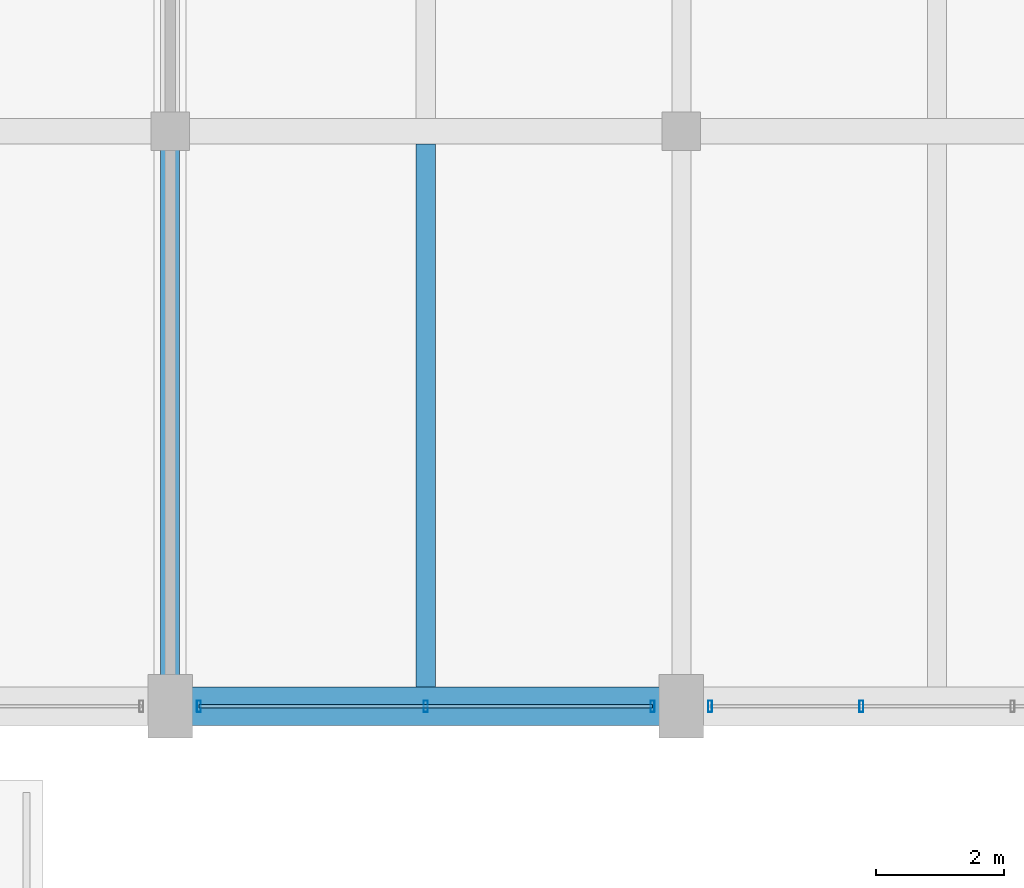
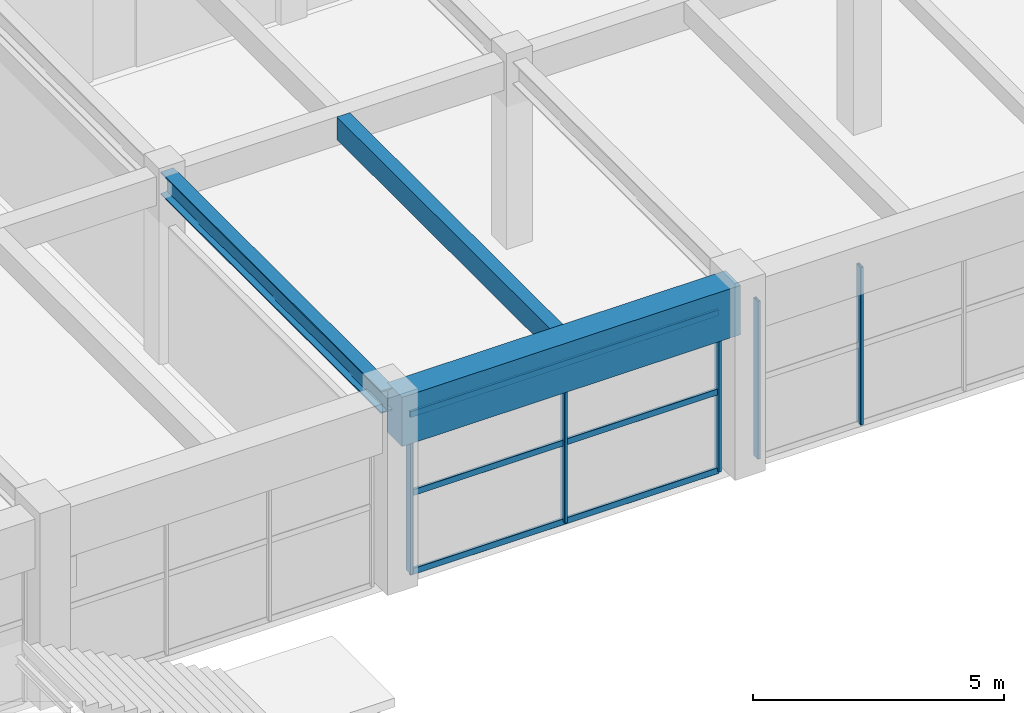
# One storey, part 86 of 144: 8 members, 3 beams, 2 elements without a shape of their own.
"""IFC4 building model written with IfcOpenShell, lengths in metres."""

from ifc_helpers import new_model, si_unit, direction, frame, origin, origin_2d, place, context, subcontext, project, spatial, rectangle, hollow_rectangle, i_section, extrude, material, material_profile, profile_set, type_object, element, aggregate, save


model = new_model("IFC4")

# Units and contexts
model_context = context("Model", 3, precision=1e-05, world=origin(), true_north=direction((0.0, 1.0)))
body_context = subcontext(model_context, "Body", "Model", "MODEL_VIEW")
ifc_project = project(units=[si_unit("LENGTHUNIT", "METRE"), si_unit("AREAUNIT", "SQUARE_METRE"), si_unit("VOLUMEUNIT", "CUBIC_METRE"), si_unit("PLANEANGLEUNIT", "RADIAN"), si_unit("MASSUNIT", "GRAM", prefix="KILO")], contexts=[model_context])

# Site, building, storey
site_placement = place(None, origin())
site = spatial("IfcSite", under=ifc_project, at=site_placement, CompositionType="ELEMENT")
building_placement = place(site_placement, origin())
building = spatial("IfcBuilding", under=site, at=building_placement, Name="Varnabhumi Central Station", CompositionType="ELEMENT")
storey_placement = place(building_placement, frame((0.0, 0.0, 4.800048828125)))
storey = spatial("IfcBuildingStorey", under=building, at=storey_placement, Name="L01", CompositionType="ELEMENT", Elevation=4.800048828125)

# Beams
ifc_material_1 = material(Name="Concrete M50", Category="concrete")
ifc_material_profile_1 = material_profile(ifc_material_1, rectangle(XDim=0.60009765625, YDim=1.199951171875, at=origin_2d()), Name="Concrete M50", Category="concrete")
ifc_profile_set_1 = profile_set([ifc_material_profile_1], Name="Concrete M50")
beam_type_1 = type_object("IfcBeamType", Name="BM-RC-1200x600", PredefinedType="BEAM", material=ifc_profile_set_1)
beam_1_placement = place(storey_placement, frame((128.10009765625, 80.0, 3.949951171875), z_axis=(1.0, 0.0, 0.0), x_axis=(0.0, 1.0, 0.0)))
element("IfcBeam", 1, at=beam_1_placement, inside=storey, type_object=beam_type_1, Name="Beam L01-K:17-18", PredefinedType="BEAM", context=body_context, shape_type="SweptSolid", body=[
    extrude(rectangle(XDim=0.60009765625, YDim=1.199951171875, at=origin_2d()), origin(), (0.0, 0.0, 1.0), 7.7998046875),
])
ifc_material_2 = material(Name="Concrete M40", Category="concrete")
ifc_material_profile_2 = material_profile(ifc_material_2, rectangle(XDim=0.300048828125, YDim=0.550048828125, at=origin_2d()), Name="Concrete M40", Category="concrete")
ifc_profile_set_2 = profile_set([ifc_material_profile_2], Name="Concrete M40")
beam_type_2 = type_object("IfcBeamType", Name="BM-RC-300x550", PredefinedType="JOIST", material=ifc_profile_set_2)
beam_2_placement = place(storey_placement, frame((132.0, 80.300048828125, 4.27490234375), z_axis=(0.0, 1.0, 0.0), x_axis=(-1.0, 0.0, 0.0)))
element("IfcBeam", 2, at=beam_2_placement, inside=storey, type_object=beam_type_2, Name="Secondary Joist L01-17/18:K-L", PredefinedType="JOIST", context=body_context, shape_type="SweptSolid", body=[
    extrude(rectangle(XDim=0.300048828125, YDim=0.550048828125, at=origin_2d()), origin(), (0.0, 0.0, 1.0), 8.5),
])
ifc_material_3 = material(Name="Structural steel E350", Category="steel")
ifc_material_profile_3 = material_profile(ifc_material_3, i_section(OverallWidth=0.300048828125, OverallDepth=0.550048828125, WebThickness=0.014892578125, FlangeThickness=0.029052734375, FilletRadius=0.027099609375, at=origin_2d()), Name="Structural steel E350", Category="steel")
ifc_profile_set_3 = profile_set([ifc_material_profile_3], Name="Structural steel E350")
beam_type_3 = type_object("IfcBeamType", Name="BM-STL-WPB550", PredefinedType="BEAM", material=ifc_profile_set_3)
beam_3_placement = place(storey_placement, frame((128.0, 80.10009765625, 4.27490234375), z_axis=(0.0, 1.0, 0.0), x_axis=(-1.0, 0.0, 0.0)))
element("IfcBeam", 3, at=beam_3_placement, inside=storey, type_object=beam_type_3, Name="Beam L01-17:K-L", PredefinedType="BEAM", context=body_context, shape_type="SweptSolid", body=[
    extrude(i_section(OverallWidth=0.300048828125, OverallDepth=0.550048828125, WebThickness=0.014892578125, FlangeThickness=0.029052734375, FilletRadius=0.027099609375, at=origin_2d()), origin(), (0.0, 0.0, 1.0), 8.7998046875),
])

# Curtain wall, members
ifc_material_4 = material(Name="Anodised aluminium 6063-T6", Category="aluminium")
curtain_wall_type_1 = type_object("IfcCurtainWallType", Name="CW-SPINE-SCREEN-L0", PredefinedType="NOTDEFINED", material=ifc_material_4)
curtain_wall_1_placement = place(storey_placement, origin())
curtain_wall_1 = element("IfcCurtainWall", 4, at=curtain_wall_1_placement, inside=storey, type_object=curtain_wall_type_1, Name="Curtain Wall CW-NS116", PredefinedType="NOTDEFINED")
ifc_material_profile_4 = material_profile(ifc_material_4, hollow_rectangle(XDim=0.06494140625, YDim=0.179931640625, WallThickness=0.00390625, InnerFilletRadius=0.001953125, OuterFilletRadius=0.006103515625, at=origin_2d()), Name="Anodised aluminium 6063-T6", Category="aluminium")
ifc_profile_set_4 = profile_set([ifc_material_profile_4], Name="Anodised aluminium 6063-T6")
member_type_1 = type_object("IfcMemberType", Name="CW-MUL-180", PredefinedType="MULLION", material=ifc_profile_set_4)
member_1_placement = place(storey_placement, frame((128.449951171875, 80.0, 0.0), z_axis=(0.0, 0.0, 1.0), x_axis=(1.0, 0.0, 0.0)))
member_1 = element("IfcMember", 5, at=member_1_placement, type_object=member_type_1, Name="Curtain Wall Mullion CW-NS116-M1", PredefinedType="MULLION", context=body_context, shape_type="SweptSolid", body=[
    extrude(hollow_rectangle(XDim=0.06494140625, YDim=0.179931640625, WallThickness=0.00390625, InnerFilletRadius=0.001953125, OuterFilletRadius=0.006103515625, at=origin_2d()), origin(), (0.0, 0.0, 1.0), 3.83984375),
])
member_2_placement = place(storey_placement, frame((132.0, 80.0, 0.0), z_axis=(0.0, 0.0, 1.0), x_axis=(1.0, 0.0, 0.0)))
member_2 = element("IfcMember", 6, at=member_2_placement, type_object=member_type_1, Name="Curtain Wall Mullion CW-NS116-M2", PredefinedType="MULLION", context=body_context, shape_type="SweptSolid", body=[
    extrude(hollow_rectangle(XDim=0.06494140625, YDim=0.179931640625, WallThickness=0.00390625, InnerFilletRadius=0.001953125, OuterFilletRadius=0.006103515625, at=origin_2d()), origin(), (0.0, 0.0, 1.0), 3.83984375),
])
member_3_placement = place(storey_placement, frame((135.550048828125, 80.0, 0.0), z_axis=(0.0, 0.0, 1.0), x_axis=(1.0, 0.0, 0.0)))
member_3 = element("IfcMember", 7, at=member_3_placement, type_object=member_type_1, Name="Curtain Wall Mullion CW-NS116-M3", PredefinedType="MULLION", context=body_context, shape_type="SweptSolid", body=[
    extrude(hollow_rectangle(XDim=0.06494140625, YDim=0.179931640625, WallThickness=0.00390625, InnerFilletRadius=0.001953125, OuterFilletRadius=0.006103515625, at=origin_2d()), origin(), (0.0, 0.0, 1.0), 3.83984375),
])

curtain_wall_type_2 = type_object("IfcCurtainWallType", Name="CW-STREET-PORTAL", PredefinedType="NOTDEFINED", material=ifc_material_4)
curtain_wall_2_placement = place(storey_placement, origin())
curtain_wall_2 = element("IfcCurtainWall", 8, at=curtain_wall_2_placement, inside=storey, type_object=curtain_wall_type_2, Name="Curtain Wall CW-NSP117", PredefinedType="NOTDEFINED")
member_4_placement = place(storey_placement, frame((136.449951171875, 80.0, 0.0), z_axis=(0.0, 0.0, 1.0), x_axis=(1.0, 0.0, 0.0)))
member_4 = element("IfcMember", 9, at=member_4_placement, type_object=member_type_1, Name="Curtain Wall Mullion CW-NSP117-M1", PredefinedType="MULLION", context=body_context, shape_type="SweptSolid", body=[
    extrude(hollow_rectangle(XDim=0.06494140625, YDim=0.179931640625, WallThickness=0.00390625, InnerFilletRadius=0.001953125, OuterFilletRadius=0.006103515625, at=origin_2d()), origin(), (0.0, 0.0, 1.0), 3.83984375),
])
member_5_placement = place(storey_placement, frame((138.816650390625, 80.0, 0.0), z_axis=(0.0, 0.0, 1.0), x_axis=(1.0, 0.0, 0.0)))
member_5 = element("IfcMember", 10, at=member_5_placement, type_object=member_type_1, Name="Curtain Wall Mullion CW-NSP117-M2", PredefinedType="MULLION", context=body_context, shape_type="SweptSolid", body=[
    extrude(hollow_rectangle(XDim=0.06494140625, YDim=0.179931640625, WallThickness=0.00390625, InnerFilletRadius=0.001953125, OuterFilletRadius=0.006103515625, at=origin_2d()), origin(), (0.0, 0.0, 1.0), 3.83984375),
])
aggregate(curtain_wall_2, [member_4, member_5])

# Member
ifc_material_profile_5 = material_profile(ifc_material_4, hollow_rectangle(XDim=0.06005859375, YDim=0.14990234375, WallThickness=0.00390625, InnerFilletRadius=0.001953125, OuterFilletRadius=0.006103515625, at=origin_2d()), Name="Anodised aluminium 6063-T6", Category="aluminium")
ifc_profile_set_5 = profile_set([ifc_material_profile_5], Name="Anodised aluminium 6063-T6")
member_type_2 = type_object("IfcMemberType", Name="CW-TR-150", PredefinedType="USERDEFINED", material=ifc_profile_set_5)
member_6_placement = place(storey_placement, frame((128.449951171875, 80.0, 0.0), z_axis=(1.0, 0.0, 0.0), x_axis=(0.0, 1.0, 0.0)))
member_6 = element("IfcMember", 11, at=member_6_placement, type_object=member_type_2, Name="Curtain Wall Transom CW-NS116-T1", ObjectType="TRANSOM", PredefinedType="USERDEFINED", context=body_context, shape_type="SweptSolid", body=[
    extrude(hollow_rectangle(XDim=0.06005859375, YDim=0.14990234375, WallThickness=0.00390625, InnerFilletRadius=0.001953125, OuterFilletRadius=0.006103515625, at=origin_2d()), origin(), (0.0, 0.0, 1.0), 7.10009765625),
])

member_7_placement = place(storey_placement, frame((128.449951171875, 80.0, 1.919921875), z_axis=(1.0, 0.0, 0.0), x_axis=(0.0, 1.0, 0.0)))
member_7 = element("IfcMember", 12, at=member_7_placement, type_object=member_type_2, Name="Curtain Wall Transom CW-NS116-T2", ObjectType="TRANSOM", PredefinedType="USERDEFINED", context=body_context, shape_type="SweptSolid", body=[
    extrude(hollow_rectangle(XDim=0.06005859375, YDim=0.14990234375, WallThickness=0.00390625, InnerFilletRadius=0.001953125, OuterFilletRadius=0.006103515625, at=origin_2d()), origin(), (0.0, 0.0, 1.0), 7.10009765625),
])

member_8_placement = place(storey_placement, frame((128.449951171875, 80.0, 3.83984375), z_axis=(1.0, 0.0, 0.0), x_axis=(0.0, 1.0, 0.0)))
member_8 = element("IfcMember", 13, at=member_8_placement, type_object=member_type_2, Name="Curtain Wall Transom CW-NS116-T3", ObjectType="TRANSOM", PredefinedType="USERDEFINED", context=body_context, shape_type="SweptSolid", body=[
    extrude(hollow_rectangle(XDim=0.06005859375, YDim=0.14990234375, WallThickness=0.00390625, InnerFilletRadius=0.001953125, OuterFilletRadius=0.006103515625, at=origin_2d()), origin(), (0.0, 0.0, 1.0), 7.10009765625),
])

aggregate(curtain_wall_1, [member_1, member_2, member_3, member_6, member_7, member_8])

save(model, "model.ifc")
